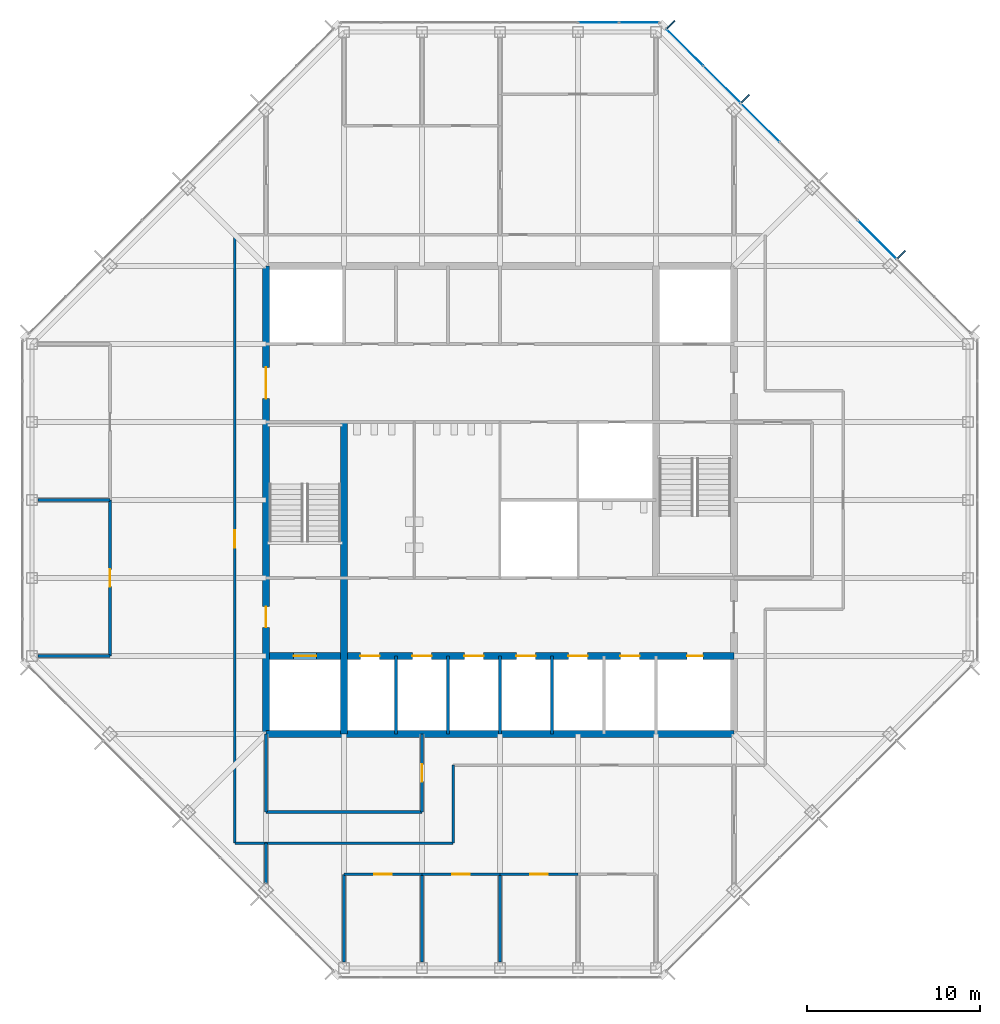
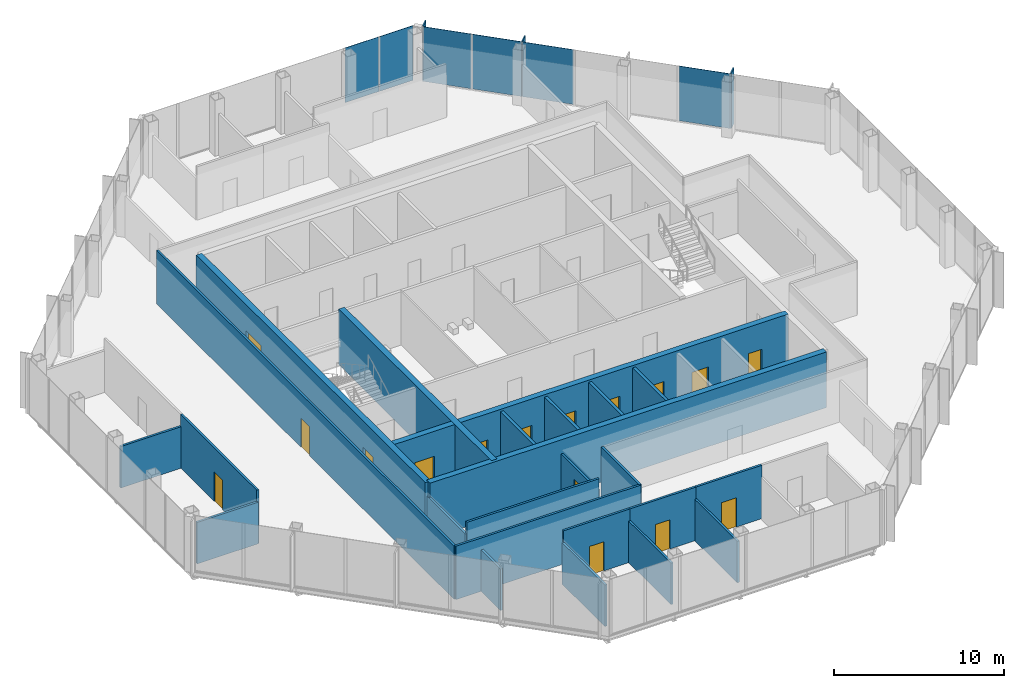
# One storey, part 9 of 13: 24 walls, 16 doors, 9 plates, 16 openings, 2 elements without a shape of their own.
"""IFC4 building model written with IfcOpenShell, lengths in metres."""

import ifcopenshell
import ifcopenshell.guid

model = None  # the IFC model being written
_history = None  # IfcOwnerHistory: only IFC2X3 demands one
_inside = {}  # id of a spatial element -> (the spatial element, [elements in it])
_under = {}  # id of a project, library or spatial element -> (it, [spatial elements below it])
_declared = {}  # id of a project -> (the project, [libraries it declares])
_typed = {}  # id of a type object -> (the type object, [elements of that type])
_made_of = {}  # id of a material, layer set ... -> (it, [elements and type objects made of it])


def new_model(schema):
    """Start an empty IFC model of exactly this schema.

    Asked for "IFC4X3", IfcOpenShell would pick the latest addendum, in which some entities
    have other attributes; the version numbers below select the first issue.
    IFC2X3 requires an IfcOwnerHistory on every rooted entity: one is made here for all.
    """
    global model, _history
    if schema == "IFC4X3":
        model = ifcopenshell.file(schema_version=(4, 3, 0, 0))
    else:
        model = ifcopenshell.file(schema=schema)
    _inside.clear()
    _under.clear()
    _declared.clear()
    _typed.clear()
    _made_of.clear()
    _history = None
    if model.schema == "IFC2X3":
        org = make("IfcOrganization", Name="unknown")
        user = make(
            "IfcPersonAndOrganization",
            ThePerson=make("IfcPerson", FamilyName="unknown"),
            TheOrganization=org,
        )
        app = make(
            "IfcApplication",
            ApplicationDeveloper=org,
            Version="unknown",
            ApplicationFullName="unknown",
            ApplicationIdentifier="unknown",
        )
        _history = make(
            "IfcOwnerHistory",
            OwningUser=user,
            OwningApplication=app,
            ChangeAction="ADDED",
            CreationDate=0,
        )
    return model


def make(cls, **values):
    """One entity of the class cls with the attributes given. An attribute that is None is left unset."""
    return model.create_entity(
        cls, **{name: value for name, value in values.items() if value is not None}
    )


def rooted(cls, **values):
    """An entity with a GlobalId (a new one), such as an element, a storey or a relation."""
    return make(cls, GlobalId=ifcopenshell.guid.new(), OwnerHistory=_history, **values)


def si_unit(unit_type, name, prefix=None):
    """IfcSIUnit, for example si_unit("LENGTHUNIT", "METRE", prefix="MILLI")."""
    return make("IfcSIUnit", UnitType=unit_type, Prefix=prefix, Name=name)


def assignment(units):
    """IfcUnitAssignment: the units of a project."""
    return None if units is None else make("IfcUnitAssignment", Units=units)


def point(xyz):
    """IfcCartesianPoint."""
    return None if xyz is None else make("IfcCartesianPoint", Coordinates=xyz)


def direction(xyz):
    """IfcDirection."""
    return None if xyz is None else make("IfcDirection", DirectionRatios=xyz)


def frame(location, z_axis=None, x_axis=None):
    """IfcAxis2Placement3D, a coordinate frame: its origin and axes. An axis left out is left unset."""
    return make(
        "IfcAxis2Placement3D",
        Location=point(location),
        Axis=direction(z_axis),
        RefDirection=direction(x_axis),
    )


def frame_2d(location, x_axis=None):
    """IfcAxis2Placement2D, a coordinate frame in the plane: its origin and x axis."""
    return make(
        "IfcAxis2Placement2D", Location=point(location), RefDirection=direction(x_axis)
    )


def origin():
    """The frame at (0, 0, 0) with its axes left unset."""
    return frame((0.0, 0.0, 0.0))


def origin_2d():
    """The frame at (0, 0) in the plane with its x axis left unset."""
    return frame_2d((0.0, 0.0))


def place(relative_to, where):
    """IfcLocalPlacement: puts the frame where relative to a parent placement (None: the world)."""
    return make(
        "IfcLocalPlacement", PlacementRelTo=relative_to, RelativePlacement=where
    )


def context(
    kind, dimensions, precision=None, world=None, true_north=None, identifier=None
):
    """IfcGeometricRepresentationContext, for example the 3D "Model" context."""
    return make(
        "IfcGeometricRepresentationContext",
        ContextIdentifier=identifier,
        ContextType=kind,
        CoordinateSpaceDimension=dimensions,
        Precision=precision,
        WorldCoordinateSystem=world,
        TrueNorth=true_north,
    )


def subcontext(parent, identifier, kind, view, scale=None):
    """IfcGeometricRepresentationSubContext, for example "Body" below "Model"."""
    return make(
        "IfcGeometricRepresentationSubContext",
        ContextIdentifier=identifier,
        ContextType=kind,
        ParentContext=parent,
        TargetScale=scale,
        TargetView=view,
    )


def project(units=None, contexts=None):
    """IfcProject with its units and contexts."""
    return rooted(
        "IfcProject",
        Name="project",
        RepresentationContexts=contexts,
        UnitsInContext=assignment(units),
    )


def spatial(cls, under=None, at=None, **own):
    """A site, building, storey or space (cls), placed at a placement, below another one or the project."""
    s = rooted(cls, ObjectPlacement=at, **own)
    if under is not None:
        _under.setdefault(under.id(), (under, []))[1].append(s)
    return s


def profile(cls, at=None, kind="AREA", **sizes):
    """A parametric profile (cls). Its sizes go by their IFC names, for example OverallWidth=200.0."""
    return make(cls, ProfileType=kind, Position=at, **sizes)


def rectangle(**sizes):
    """IfcRectangleProfileDef."""
    return profile("IfcRectangleProfileDef", **sizes)


def extrude(swept, where, along, depth):
    """IfcExtrudedAreaSolid: the profile swept, set in the frame where, extruded along a direction by depth."""
    return make(
        "IfcExtrudedAreaSolid",
        SweptArea=swept,
        Position=where,
        ExtrudedDirection=direction(along),
        Depth=depth,
    )


def shape(context_of_items, identifier, shape_type, items):
    """IfcShapeRepresentation: the items that make up one representation, for example the "Body"."""
    return make(
        "IfcShapeRepresentation",
        ContextOfItems=context_of_items,
        RepresentationIdentifier=identifier,
        RepresentationType=shape_type,
        Items=items,
    )


def material(Name=None, Category=None):
    """IfcMaterial."""
    return make("IfcMaterial", Name=Name, Category=Category)


def layer(
    of_material, thickness, ventilated=None, Name=None, Category=None, Priority=None
):
    """IfcMaterialLayer: one layer of a wall or slab, of a material (None: an air gap)."""
    return make(
        "IfcMaterialLayer",
        Material=of_material,
        LayerThickness=thickness,
        IsVentilated=ventilated,
        Name=Name,
        Category=Category,
        Priority=Priority,
    )


def layer_set(layers, Name=None):
    """IfcMaterialLayerSet."""
    return make("IfcMaterialLayerSet", MaterialLayers=layers, LayerSetName=Name)


def made_of(thing, what):
    """Note that an element or type object is made of a material, layer set ...; save() writes the relation."""
    if what is not None:
        _made_of.setdefault(what.id(), (what, []))[1].append(thing)
    return thing


def type_object(cls, material=None, **own):
    """A type object (cls), such as IfcWallType, which elements share."""
    return made_of(rooted(cls, **own), material)


def element(
    cls,
    number,
    at=None,
    inside=None,
    cuts=None,
    type_object=None,
    material=None,
    context=None,
    identifier="Body",
    shape_type=None,
    held_by="IfcProductDefinitionShape",
    body=None,
    shapes=None,
    **own,
):
    """One element of the class cls, such as IfcWall. Its Tag is "e" and its number.

    at: its placement. inside: the storey or other place that contains it. cuts: it is an
    opening in that element (IfcRelVoidsElement). A single representation is given by context,
    identifier, shape_type and body (its items); several are given by shapes. held_by: the class
    of the entity that holds the representations. save() writes the other relations.
    """
    e = rooted(cls, Tag="e%d" % number, ObjectPlacement=at, **own)
    if body is not None:
        shapes = [shape(context, identifier, shape_type, body)]
    if shapes is not None:
        e.Representation = make(held_by, Representations=shapes)
    if inside is not None:
        _inside.setdefault(inside.id(), (inside, []))[1].append(e)
    if cuts is not None:
        rooted(
            "IfcRelVoidsElement", RelatingBuildingElement=cuts, RelatedOpeningElement=e
        )
    if type_object is not None:
        _typed.setdefault(type_object.id(), (type_object, []))[1].append(e)
    return made_of(e, material)


def fill(opening, filler):
    """IfcRelFillsElement: the door or window that sits in an opening."""
    return rooted(
        "IfcRelFillsElement",
        RelatingOpeningElement=opening,
        RelatedBuildingElement=filler,
    )


def aggregate(whole, parts):
    """IfcRelAggregates: a whole, such as a stair, and the parts it consists of."""
    return rooted("IfcRelAggregates", RelatingObject=whole, RelatedObjects=parts)


def save(model, path):
    """Write the relations noted so far, then the file.

    IfcRelAggregates (storeys below a building ...), IfcRelContainedInSpatialStructure (elements
    in a storey), IfcRelDefinesByType, IfcRelAssociatesMaterial and IfcRelDeclares: one each for
    every whole, place, type object, material and project.
    """
    for whole, parts in _under.values():
        aggregate(whole, parts)
    for where, things in _inside.values():
        rooted(
            "IfcRelContainedInSpatialStructure",
            RelatedElements=things,
            RelatingStructure=where,
        )
    for kind, things in _typed.values():
        rooted("IfcRelDefinesByType", RelatedObjects=things, RelatingType=kind)
    for what, things in _made_of.values():
        rooted("IfcRelAssociatesMaterial", RelatedObjects=things, RelatingMaterial=what)
    for by, libraries in _declared.values():
        rooted("IfcRelDeclares", RelatingContext=by, RelatedDefinitions=libraries)
    model.write(path)


model = new_model("IFC4")

# Units and contexts
model_context = context("Model", 3, precision=1e-05, world=origin(), true_north=direction((0.0, 1.0)))
body_context = subcontext(model_context, "Body", "Model", "MODEL_VIEW")
ifc_project = project(units=[si_unit("LENGTHUNIT", "METRE"), si_unit("AREAUNIT", "SQUARE_METRE"), si_unit("VOLUMEUNIT", "CUBIC_METRE"), si_unit("PLANEANGLEUNIT", "RADIAN"), si_unit("MASSUNIT", "GRAM", prefix="KILO")], contexts=[model_context])

# Site, building, storey
site_placement = place(None, origin())
site = spatial("IfcSite", under=ifc_project, at=site_placement, CompositionType="ELEMENT")
building_placement = place(site_placement, origin())
building = spatial("IfcBuilding", under=site, at=building_placement, Name="Corais Broadcast Tower", CompositionType="ELEMENT")
storey_placement = place(building_placement, frame((0.0, 0.0, 226.60009765625)))
storey = spatial("IfcBuildingStorey", under=building, at=storey_placement, Name="L52", CompositionType="ELEMENT", Elevation=226.60009765625)

# Curtain wall, plate
ifc_material_1 = material(Name="Aluminium and glass", Category="aluminium")
curtain_wall_type = type_object("IfcCurtainWallType", Name="Unitised fritted curtain wall CW3", PredefinedType="NOTDEFINED", material=ifc_material_1)
curtain_wall_1_placement = place(storey_placement, origin())
curtain_wall_1 = element("IfcCurtainWall", 1, at=curtain_wall_1_placement, inside=storey, type_object=curtain_wall_type, Name="CW3 curtain wall L52 4", PredefinedType="NOTDEFINED")
ifc_material_2 = material(Name="Ceramic-fritted laminated glass", Category="glass")
ifc_layer_1 = layer(ifc_material_2, 0.02587890625)
ifc_layer_set_1 = layer_set([ifc_layer_1], Name="Ceramic-fritted laminated glass")
plate_type_1 = type_object("IfcPlateType", Name="Fritted glass panel CW3", PredefinedType="CURTAIN_PANEL", material=ifc_layer_set_1)
plate_1_placement = place(storey_placement, frame((32.681884765625, 54.550048828125, 0.06494140625), z_axis=(0.0, 0.0, 1.0), x_axis=(1.0, 0.0, 0.0)))
plate_1 = element("IfcPlate", 2, at=plate_1_placement, type_object=plate_type_1, Name="CW3 panel 5", PredefinedType="CURTAIN_PANEL", context=body_context, shape_type="SweptSolid", body=[
    extrude(rectangle(XDim=2.298828125, YDim=0.02587890625, at=origin_2d()), origin(), (0.0, 0.0, 1.0), 3.93505859375),
])

# Curtain wall, plates
curtain_wall_2_placement = place(storey_placement, origin())
curtain_wall_2 = element("IfcCurtainWall", 3, at=curtain_wall_2_placement, inside=storey, type_object=curtain_wall_type, Name="CW3 curtain wall L52 5", PredefinedType="NOTDEFINED")
plate_2_placement = place(storey_placement, frame((37.669677734375, 53.108154296875, 0.06494140625), z_axis=(0.0, 0.0, 1.0), x_axis=(0.707106781187, -0.707106781187, 0.0)))
plate_2 = element("IfcPlate", 4, at=plate_2_placement, type_object=plate_type_1, Name="CW3 panel 1", PredefinedType="CURTAIN_PANEL", context=body_context, shape_type="SweptSolid", body=[
    extrude(rectangle(XDim=2.9482421875, YDim=0.02587890625, at=origin_2d()), origin(), (0.0, 0.0, 1.0), 3.93505859375),
])
plate_3_placement = place(storey_placement, frame((42.013916015625, 48.763916015625, 0.06494140625), z_axis=(0.0, 0.0, 1.0), x_axis=(0.707106781187, -0.707106781187, 0.0)))
plate_3 = element("IfcPlate", 5, at=plate_3_placement, type_object=plate_type_1, Name="CW3 panel 3", PredefinedType="CURTAIN_PANEL", context=body_context, shape_type="SweptSolid", body=[
    extrude(rectangle(XDim=3.116943359375, YDim=0.02587890625, at=origin_2d()), origin(), (0.0, 0.0, 1.0), 3.93505859375),
])

# Plate
ifc_material_3 = material(Name="Clear laminated glass", Category="glass")
ifc_layer_2 = layer(ifc_material_3, 0.030029296875)
ifc_layer_set_2 = layer_set([ifc_layer_2], Name="Clear laminated glass")
plate_type_2 = type_object("IfcPlateType", Name="Operable glass panel CW3", PredefinedType="CURTAIN_PANEL", material=ifc_layer_set_2)
plate_4_placement = place(storey_placement, frame((35.029541015625, 54.550048828125, 0.06494140625), z_axis=(0.0, 0.0, 1.0), x_axis=(1.0, 0.0, 0.0)))
plate_4 = element("IfcPlate", 6, at=plate_4_placement, type_object=plate_type_2, Name="CW3 operable panel 6", PredefinedType="CURTAIN_PANEL", context=body_context, shape_type="SweptSolid", body=[
    extrude(rectangle(XDim=2.266357421875, YDim=0.030029296875, at=origin_2d()), origin(), (0.0, 0.0, 1.0), 3.93505859375),
])

aggregate(curtain_wall_1, [plate_1, plate_4])

plate_5_placement = place(storey_placement, frame((39.81201171875, 50.9658203125, 0.06494140625), z_axis=(0.0, 0.0, 1.0), x_axis=(0.707106781187, -0.707106781187, 0.0)))
plate_5 = element("IfcPlate", 7, at=plate_5_placement, type_object=plate_type_2, Name="CW3 operable panel 2", PredefinedType="CURTAIN_PANEL", context=body_context, shape_type="SweptSolid", body=[
    extrude(rectangle(XDim=2.98095703125, YDim=0.030029296875, at=origin_2d()), origin(), (0.0, 0.0, 1.0), 3.93505859375),
])

plate_6_placement = place(storey_placement, frame((48.763916015625, 42.013916015625, 0.06494140625), z_axis=(0.0, 0.0, 1.0), x_axis=(0.707106781187, -0.707106781187, 0.0)))
plate_6 = element("IfcPlate", 8, at=plate_6_placement, type_object=plate_type_2, Name="CW3 operable panel 6", PredefinedType="CURTAIN_PANEL", context=body_context, shape_type="SweptSolid", body=[
    extrude(rectangle(XDim=3.116943359375, YDim=0.030029296875, at=origin_2d()), origin(), (0.0, 0.0, 1.0), 3.93505859375),
])

aggregate(curtain_wall_2, [plate_2, plate_5, plate_3, plate_6])

# Plates
ifc_material_4 = material(Name="Granite stone cladding", Category="masonry")
ifc_layer_3 = layer(ifc_material_4, 0.080078125)
ifc_layer_set_3 = layer_set([ifc_layer_3], Name="Granite stone cladding")
plate_type_3 = type_object("IfcPlateType", Name="Stone screen fin 80x600", PredefinedType="USERDEFINED", material=ifc_layer_set_3)
for number, where, z_axis, x_axis, name in (
    (9, (36.870849609375, 54.43994140625, 0.0), (0.0, 0.0, 1.0), (0.707106781187, -0.707106781187, 0.0), "SF1 stone screen fin L52"),
    (10, (41.155517578125, 50.155517578125, 0.0), (0.0, 0.0, 1.0), (0.707106781187, -0.707106781187, 0.0), "SF1 stone screen fin L52"),
    (11, (50.155517578125, 41.155517578125, 0.0), (0.0, 0.0, 1.0), (0.707106781187, -0.707106781187, 0.0), "SF1 stone screen fin L52"),
):
    element("IfcPlate", number, at=place(storey_placement, frame(where, z_axis=z_axis, x_axis=x_axis)), inside=storey, type_object=plate_type_3, Name=name, ObjectType="STONE SCREEN FIN", PredefinedType="USERDEFINED", context=body_context, shape_type="SweptSolid", body=[
        extrude(rectangle(XDim=0.080078125, YDim=0.60009765625, at=origin_2d()), origin(), (0.0, 0.0, 1.0), 4.0),
    ])

# Wall
ifc_material_5 = material(Name="Concrete C50/60", Category="concrete")
ifc_layer_4 = layer(ifc_material_5, 0.39990234375)
ifc_layer_set_4 = layer_set([ifc_layer_4], Name="Concrete C50/60")
wall_type_1 = type_object("IfcWallType", Name="Core wall 400", PredefinedType="SHEAR", material=ifc_layer_set_4)
wall_1_placement = place(storey_placement, frame((13.5, 13.5, 0.0), z_axis=(0.0, 0.0, 1.0), x_axis=(1.0, 0.0, 0.0)))
element("IfcWall", 12, at=wall_1_placement, inside=storey, type_object=wall_type_1, Name="CR400 core wall S L52", PredefinedType="SHEAR", context=body_context, shape_type="SweptSolid", body=[
    extrude(rectangle(XDim=27.0, YDim=0.39990234375, at=frame_2d((13.5, 0.0))), origin(), (0.0, 0.0, 1.0), 4.0),
])

# Wall, openings, doors
wall_2_placement = place(storey_placement, frame((13.5, 40.5, 0.0), z_axis=(0.0, 0.0, 1.0), x_axis=(0.0, -1.0, 0.0)))
wall_2 = element("IfcWall", 13, at=wall_2_placement, inside=storey, type_object=wall_type_1, Name="CR400 core wall W L52", PredefinedType="SHEAR", context=body_context, shape_type="SweptSolid", body=[
    extrude(rectangle(XDim=27.0, YDim=0.39990234375, at=frame_2d((13.5, 0.0))), origin(), (0.0, 0.0, 1.0), 4.0),
])
opening_1_placement = place(wall_2_placement, frame((19.64990234375, 0.0, 0.0)))
opening_1 = element("IfcOpeningElement", 14, at=opening_1_placement, cuts=wall_2, Name="Opening FD1", PredefinedType="OPENING", context=body_context, shape_type="SweptSolid", body=[
    extrude(rectangle(XDim=1.199951171875, YDim=2.10009765625, at=frame_2d((0.60009765625, 1.050048828125))), frame((0.0, 0.2099609375, 0.0), z_axis=(0.0, -1.0, 0.0), x_axis=(1.0, 0.0, 0.0)), (0.0, 0.0, 1.0), 0.419921875),
])
opening_2_placement = place(wall_2_placement, frame((5.85009765625, 0.0, 0.0)))
opening_2 = element("IfcOpeningElement", 15, at=opening_2_placement, cuts=wall_2, Name="Opening FD2", PredefinedType="OPENING", context=body_context, shape_type="SweptSolid", body=[
    extrude(rectangle(XDim=1.800048828125, YDim=2.10009765625, at=frame_2d((0.89990234375, 1.050048828125))), frame((0.0, 0.2099609375, 0.0), z_axis=(0.0, -1.0, 0.0), x_axis=(1.0, 0.0, 0.0)), (0.0, 0.0, 1.0), 0.419921875),
])
ifc_material_6 = material(Name="Steel fire door", Category="steel")
door_type_1 = type_object("IfcDoorType", Name="Fire door 1200x2100", OperationType="SINGLE_SWING_LEFT", PredefinedType="DOOR", material=ifc_material_6)
door_1_placement = place(opening_1_placement, origin())
door_1 = element("IfcDoor", 16, at=door_1_placement, inside=storey, type_object=door_type_1, Name="FD1 fire lobby A door L52", OperationType="SINGLE_SWING_RIGHT", OverallHeight=2.10009765625, OverallWidth=1.199951171875, PredefinedType="DOOR", context=body_context, shape_type="SweptSolid", body=[
    extrude(rectangle(XDim=1.199951171875, YDim=2.10009765625, at=frame_2d((0.60009765625, 1.050048828125))), frame((0.0, 0.02490234375, 0.0), z_axis=(0.0, -1.0, 0.0), x_axis=(1.0, 0.0, 0.0)), (0.0, 0.0, 1.0), 0.050048828125),
])
fill(opening_1, door_1)
ifc_material_7 = material(Name="Steel fire door", Category="steel")
door_type_2 = type_object("IfcDoorType", Name="Fire door pair 1800x2100", OperationType="DOUBLE_DOOR_SINGLE_SWING", PredefinedType="DOOR", material=ifc_material_7)
door_2_placement = place(opening_2_placement, origin())
door_2 = element("IfcDoor", 17, at=door_2_placement, inside=storey, type_object=door_type_2, Name="FD2 lift lobby door L52", OperationType="SINGLE_SWING_LEFT", OverallHeight=2.10009765625, OverallWidth=1.800048828125, PredefinedType="DOOR", context=body_context, shape_type="SweptSolid", body=[
    extrude(rectangle(XDim=1.800048828125, YDim=2.10009765625, at=frame_2d((0.89990234375, 1.050048828125))), frame((0.0, 0.02490234375, 0.0), z_axis=(0.0, -1.0, 0.0), x_axis=(1.0, 0.0, 0.0)), (0.0, 0.0, 1.0), 0.050048828125),
])
fill(opening_2, door_2)

# Wall
wall_3_placement = place(storey_placement, frame((18.0, 13.5, 0.0), z_axis=(0.0, 0.0, 1.0), x_axis=(0.0, 1.0, 0.0)))
element("IfcWall", 18, at=wall_3_placement, inside=storey, type_object=wall_type_1, Name="CR400 core wall X18A L52", PredefinedType="SHEAR", context=body_context, shape_type="SweptSolid", body=[
    extrude(rectangle(XDim=18.0, YDim=0.39990234375, at=frame_2d((9.0, 0.0))), origin(), (0.0, 0.0, 1.0), 4.0),
])

# Wall, openings, doors
wall_4_placement = place(storey_placement, frame((13.5, 18.0, 0.0), z_axis=(0.0, 0.0, 1.0), x_axis=(1.0, 0.0, 0.0)))
wall_4 = element("IfcWall", 19, at=wall_4_placement, inside=storey, type_object=wall_type_1, Name="CR400 core wall Y18 L52", PredefinedType="SHEAR", context=body_context, shape_type="SweptSolid", body=[
    extrude(rectangle(XDim=27.0, YDim=0.39990234375, at=frame_2d((13.5, 0.0))), origin(), (0.0, 0.0, 1.0), 4.0),
])
opening_3_placement = place(wall_4_placement, frame((24.300048828125, 0.0, 0.0)))
opening_3 = element("IfcOpeningElement", 20, at=opening_3_placement, cuts=wall_4, Name="Opening RD1", PredefinedType="OPENING", context=body_context, shape_type="SweptSolid", body=[
    extrude(rectangle(XDim=0.89990234375, YDim=2.10009765625, at=frame_2d((0.449951171875, 1.050048828125))), frame((0.0, 0.2099609375, 0.0), z_axis=(0.0, -1.0, 0.0), x_axis=(1.0, 0.0, 0.0)), (0.0, 0.0, 1.0), 0.419921875),
])
opening_4_placement = place(wall_4_placement, frame((5.449951171875, 0.0, 0.0)))
opening_4 = element("IfcOpeningElement", 21, at=opening_4_placement, cuts=wall_4, Name="Opening LD1", PredefinedType="OPENING", context=body_context, shape_type="SweptSolid", body=[
    extrude(rectangle(XDim=1.10009765625, YDim=2.10009765625, at=frame_2d((0.550048828125, 1.050048828125))), frame((0.0, 0.2099609375, 0.0), z_axis=(0.0, -1.0, 0.0), x_axis=(1.0, 0.0, 0.0)), (0.0, 0.0, 1.0), 0.419921875),
])
opening_5_placement = place(wall_4_placement, frame((8.449951171875, 0.0, 0.0)))
opening_5 = element("IfcOpeningElement", 22, at=opening_5_placement, cuts=wall_4, Name="Opening LD1", PredefinedType="OPENING", context=body_context, shape_type="SweptSolid", body=[
    extrude(rectangle(XDim=1.10009765625, YDim=2.10009765625, at=frame_2d((0.550048828125, 1.050048828125))), frame((0.0, 0.2099609375, 0.0), z_axis=(0.0, -1.0, 0.0), x_axis=(1.0, 0.0, 0.0)), (0.0, 0.0, 1.0), 0.419921875),
])
opening_6_placement = place(wall_4_placement, frame((11.449951171875, 0.0, 0.0)))
opening_6 = element("IfcOpeningElement", 23, at=opening_6_placement, cuts=wall_4, Name="Opening LD1", PredefinedType="OPENING", context=body_context, shape_type="SweptSolid", body=[
    extrude(rectangle(XDim=1.10009765625, YDim=2.10009765625, at=frame_2d((0.550048828125, 1.050048828125))), frame((0.0, 0.2099609375, 0.0), z_axis=(0.0, -1.0, 0.0), x_axis=(1.0, 0.0, 0.0)), (0.0, 0.0, 1.0), 0.419921875),
])
opening_7_placement = place(wall_4_placement, frame((14.449951171875, 0.0, 0.0)))
opening_7 = element("IfcOpeningElement", 24, at=opening_7_placement, cuts=wall_4, Name="Opening LD1", PredefinedType="OPENING", context=body_context, shape_type="SweptSolid", body=[
    extrude(rectangle(XDim=1.10009765625, YDim=2.10009765625, at=frame_2d((0.550048828125, 1.050048828125))), frame((0.0, 0.2099609375, 0.0), z_axis=(0.0, -1.0, 0.0), x_axis=(1.0, 0.0, 0.0)), (0.0, 0.0, 1.0), 0.419921875),
])
opening_8_placement = place(wall_4_placement, frame((17.449951171875, 0.0, 0.0)))
opening_8 = element("IfcOpeningElement", 25, at=opening_8_placement, cuts=wall_4, Name="Opening LD1", PredefinedType="OPENING", context=body_context, shape_type="SweptSolid", body=[
    extrude(rectangle(XDim=1.10009765625, YDim=2.10009765625, at=frame_2d((0.550048828125, 1.050048828125))), frame((0.0, 0.2099609375, 0.0), z_axis=(0.0, -1.0, 0.0), x_axis=(1.0, 0.0, 0.0)), (0.0, 0.0, 1.0), 0.419921875),
])
opening_9_placement = place(wall_4_placement, frame((20.449951171875, 0.0, 0.0)))
opening_9 = element("IfcOpeningElement", 26, at=opening_9_placement, cuts=wall_4, Name="Opening LD1", PredefinedType="OPENING", context=body_context, shape_type="SweptSolid", body=[
    extrude(rectangle(XDim=1.10009765625, YDim=2.10009765625, at=frame_2d((0.550048828125, 1.050048828125))), frame((0.0, 0.2099609375, 0.0), z_axis=(0.0, -1.0, 0.0), x_axis=(1.0, 0.0, 0.0)), (0.0, 0.0, 1.0), 0.419921875),
])
opening_10_placement = place(wall_4_placement, frame((1.60009765625, 0.0, 0.0)))
opening_10 = element("IfcOpeningElement", 27, at=opening_10_placement, cuts=wall_4, Name="Opening LD2", PredefinedType="OPENING", context=body_context, shape_type="SweptSolid", body=[
    extrude(rectangle(XDim=1.300048828125, YDim=2.199951171875, at=frame_2d((0.64990234375, 1.10009765625))), frame((0.0, 0.2099609375, 0.0), z_axis=(0.0, -1.0, 0.0), x_axis=(1.0, 0.0, 0.0)), (0.0, 0.0, 1.0), 0.419921875),
])
ifc_material_8 = material(Name="Stainless steel lift door", Category="steel")
door_type_3 = type_object("IfcDoorType", Name="Lift landing door 1100x2100", OperationType="SLIDING_TO_LEFT", PredefinedType="DOOR", material=ifc_material_8)
door_3_placement = place(opening_4_placement, origin())
door_3 = element("IfcDoor", 28, at=door_3_placement, inside=storey, type_object=door_type_3, Name="LD1 PH1 landing door L52", OperationType="SLIDING_TO_LEFT", OverallHeight=2.10009765625, OverallWidth=1.10009765625, PredefinedType="DOOR", context=body_context, shape_type="SweptSolid", body=[
    extrude(rectangle(XDim=1.10009765625, YDim=2.10009765625, at=frame_2d((0.550048828125, 1.050048828125))), frame((0.0, 0.02490234375, 0.0), z_axis=(0.0, -1.0, 0.0), x_axis=(1.0, 0.0, 0.0)), (0.0, 0.0, 1.0), 0.050048828125),
])
fill(opening_4, door_3)
door_4_placement = place(opening_5_placement, origin())
door_4 = element("IfcDoor", 29, at=door_4_placement, inside=storey, type_object=door_type_3, Name="LD1 PH2 landing door L52", OperationType="SLIDING_TO_LEFT", OverallHeight=2.10009765625, OverallWidth=1.10009765625, PredefinedType="DOOR", context=body_context, shape_type="SweptSolid", body=[
    extrude(rectangle(XDim=1.10009765625, YDim=2.10009765625, at=frame_2d((0.550048828125, 1.050048828125))), frame((0.0, 0.02490234375, 0.0), z_axis=(0.0, -1.0, 0.0), x_axis=(1.0, 0.0, 0.0)), (0.0, 0.0, 1.0), 0.050048828125),
])
fill(opening_5, door_4)
door_5_placement = place(opening_6_placement, origin())
door_5 = element("IfcDoor", 30, at=door_5_placement, inside=storey, type_object=door_type_3, Name="LD1 PH3 landing door L52", OperationType="SLIDING_TO_LEFT", OverallHeight=2.10009765625, OverallWidth=1.10009765625, PredefinedType="DOOR", context=body_context, shape_type="SweptSolid", body=[
    extrude(rectangle(XDim=1.10009765625, YDim=2.10009765625, at=frame_2d((0.550048828125, 1.050048828125))), frame((0.0, 0.02490234375, 0.0), z_axis=(0.0, -1.0, 0.0), x_axis=(1.0, 0.0, 0.0)), (0.0, 0.0, 1.0), 0.050048828125),
])
fill(opening_6, door_5)
door_6_placement = place(opening_7_placement, origin())
door_6 = element("IfcDoor", 31, at=door_6_placement, inside=storey, type_object=door_type_3, Name="LD1 PH4 landing door L52", OperationType="SLIDING_TO_LEFT", OverallHeight=2.10009765625, OverallWidth=1.10009765625, PredefinedType="DOOR", context=body_context, shape_type="SweptSolid", body=[
    extrude(rectangle(XDim=1.10009765625, YDim=2.10009765625, at=frame_2d((0.550048828125, 1.050048828125))), frame((0.0, 0.02490234375, 0.0), z_axis=(0.0, -1.0, 0.0), x_axis=(1.0, 0.0, 0.0)), (0.0, 0.0, 1.0), 0.050048828125),
])
fill(opening_7, door_6)
door_7_placement = place(opening_8_placement, origin())
door_7 = element("IfcDoor", 32, at=door_7_placement, inside=storey, type_object=door_type_3, Name="LD1 PH5 landing door L52", OperationType="SLIDING_TO_LEFT", OverallHeight=2.10009765625, OverallWidth=1.10009765625, PredefinedType="DOOR", context=body_context, shape_type="SweptSolid", body=[
    extrude(rectangle(XDim=1.10009765625, YDim=2.10009765625, at=frame_2d((0.550048828125, 1.050048828125))), frame((0.0, 0.02490234375, 0.0), z_axis=(0.0, -1.0, 0.0), x_axis=(1.0, 0.0, 0.0)), (0.0, 0.0, 1.0), 0.050048828125),
])
fill(opening_8, door_7)
door_8_placement = place(opening_9_placement, origin())
door_8 = element("IfcDoor", 33, at=door_8_placement, inside=storey, type_object=door_type_3, Name="LD1 PH6 landing door L52", OperationType="SLIDING_TO_LEFT", OverallHeight=2.10009765625, OverallWidth=1.10009765625, PredefinedType="DOOR", context=body_context, shape_type="SweptSolid", body=[
    extrude(rectangle(XDim=1.10009765625, YDim=2.10009765625, at=frame_2d((0.550048828125, 1.050048828125))), frame((0.0, 0.02490234375, 0.0), z_axis=(0.0, -1.0, 0.0), x_axis=(1.0, 0.0, 0.0)), (0.0, 0.0, 1.0), 0.050048828125),
])
fill(opening_9, door_8)
ifc_material_9 = material(Name="Stainless steel lift door", Category="steel")
door_type_4 = type_object("IfcDoorType", Name="Lift landing door 1300x2200", OperationType="SLIDING_TO_LEFT", PredefinedType="DOOR", material=ifc_material_9)
door_9_placement = place(opening_10_placement, origin())
door_9 = element("IfcDoor", 34, at=door_9_placement, inside=storey, type_object=door_type_4, Name="LD2 FL1 landing door L52", OperationType="SLIDING_TO_LEFT", OverallHeight=2.199951171875, OverallWidth=1.300048828125, PredefinedType="DOOR", context=body_context, shape_type="SweptSolid", body=[
    extrude(rectangle(XDim=1.300048828125, YDim=2.199951171875, at=frame_2d((0.64990234375, 1.10009765625))), frame((0.0, 0.02490234375, 0.0), z_axis=(0.0, -1.0, 0.0), x_axis=(1.0, 0.0, 0.0)), (0.0, 0.0, 1.0), 0.050048828125),
])
fill(opening_10, door_9)
ifc_material_10 = material(Name="Steel fire door", Category="steel")
door_type_5 = type_object("IfcDoorType", Name="Riser door 900x2100", OperationType="SINGLE_SWING_LEFT", PredefinedType="DOOR", material=ifc_material_10)
door_10_placement = place(opening_3_placement, origin())
door_10 = element("IfcDoor", 35, at=door_10_placement, inside=storey, type_object=door_type_5, Name="RD1 riser door L52", OperationType="SINGLE_SWING_RIGHT", OverallHeight=2.10009765625, OverallWidth=0.89990234375, PredefinedType="DOOR", context=body_context, shape_type="SweptSolid", body=[
    extrude(rectangle(XDim=0.89990234375, YDim=2.10009765625, at=frame_2d((0.449951171875, 1.050048828125))), frame((0.0, 0.02490234375, 0.0), z_axis=(0.0, -1.0, 0.0), x_axis=(1.0, 0.0, 0.0)), (0.0, 0.0, 1.0), 0.050048828125),
])
fill(opening_3, door_10)

# Wall, opening, door
ifc_material_11 = material(Name="Gypsum board on steel studs", Category="steel")
ifc_layer_5 = layer(ifc_material_11, 0.14990234375)
ifc_layer_set_5 = layer_set([ifc_layer_5], Name="Gypsum board on steel studs")
wall_type_2 = type_object("IfcWallType", Name="Partition 150", PredefinedType="PARTITIONING", material=ifc_layer_set_5)
wall_5_placement = place(storey_placement, frame((11.699951171875, 42.300048828125, 0.0), z_axis=(0.0, 0.0, 1.0), x_axis=(0.0, -1.0, 0.0)))
wall_5 = element("IfcWall", 36, at=wall_5_placement, inside=storey, type_object=wall_type_2, Name="IW3 corridor wall L52", PredefinedType="PARTITIONING", context=body_context, shape_type="SweptSolid", body=[
    extrude(rectangle(XDim=35.10009765625, YDim=0.14990234375, at=frame_2d((17.550048828125, 0.0))), origin(), (0.0, 0.0, 1.0), 3.83984375),
])
opening_11_placement = place(wall_5_placement, frame((17.050048828125, 0.0, 0.0)))
opening_11 = element("IfcOpeningElement", 37, at=opening_11_placement, cuts=wall_5, Name="Opening D1", PredefinedType="OPENING", context=body_context, shape_type="SweptSolid", body=[
    extrude(rectangle(XDim=1.0, YDim=2.10009765625, at=frame_2d((0.5, 1.050048828125))), frame((0.0, 0.0849609375, 0.0), z_axis=(0.0, -1.0, 0.0), x_axis=(1.0, 0.0, 0.0)), (0.0, 0.0, 1.0), 0.169921875),
])
ifc_material_12 = material(Name="Timber door", Category="wood")
door_type_6 = type_object("IfcDoorType", Name="Single door 1000x2100", OperationType="SINGLE_SWING_LEFT", PredefinedType="DOOR", material=ifc_material_12)
door_11_placement = place(opening_11_placement, origin())
door_11 = element("IfcDoor", 38, at=door_11_placement, inside=storey, type_object=door_type_6, Name="D1 workplace door L52", OperationType="SINGLE_SWING_LEFT", OverallHeight=2.10009765625, OverallWidth=1.0, PredefinedType="DOOR", context=body_context, shape_type="SweptSolid", body=[
    extrude(rectangle(XDim=1.0, YDim=2.10009765625, at=frame_2d((0.5, 1.050048828125))), frame((0.0, 0.02490234375, 0.0), z_axis=(0.0, -1.0, 0.0), x_axis=(1.0, 0.0, 0.0)), (0.0, 0.0, 1.0), 0.050048828125),
])
fill(opening_11, door_11)

# Walls
wall_6_placement = place(storey_placement, frame((11.699951171875, 7.199951171875, 0.0), z_axis=(0.0, 0.0, 1.0), x_axis=(1.0, 0.0, 0.0)))
element("IfcWall", 39, at=wall_6_placement, inside=storey, type_object=wall_type_2, Name="IW3 corridor wall L52", PredefinedType="PARTITIONING", context=body_context, shape_type="SweptSolid", body=[
    extrude(rectangle(XDim=12.60009765625, YDim=0.14990234375, at=frame_2d((6.300048828125, 0.0))), origin(), (0.0, 0.0, 1.0), 3.83984375),
])
wall_7_placement = place(storey_placement, frame((24.300048828125, 7.199951171875, 0.0), z_axis=(0.0, 0.0, 1.0), x_axis=(0.0, 1.0, 0.0)))
element("IfcWall", 40, at=wall_7_placement, inside=storey, type_object=wall_type_2, Name="IW3 corridor wall L52", PredefinedType="PARTITIONING", context=body_context, shape_type="SweptSolid", body=[
    extrude(rectangle(XDim=4.5, YDim=0.14990234375, at=frame_2d((2.25, 0.0))), origin(), (0.0, 0.0, 1.0), 3.83984375),
])
wall_8_placement = place(storey_placement, frame((0.3349609375, 18.0, 0.0), z_axis=(0.0, 0.0, 1.0), x_axis=(1.0, 0.0, 0.0)))
element("IfcWall", 41, at=wall_8_placement, inside=storey, type_object=wall_type_2, Name="IW3 partition L52", PredefinedType="PARTITIONING", context=body_context, shape_type="SweptSolid", body=[
    extrude(rectangle(XDim=4.1650390625, YDim=0.14990234375, at=frame_2d((2.08251953125, 0.0))), origin(), (0.0, 0.0, 1.0), 2.989013671875),
])

# Wall, opening, door
wall_9_placement = place(storey_placement, frame((4.5, 18.0, 0.0), z_axis=(0.0, 0.0, 1.0), x_axis=(0.0, 1.0, 0.0)))
wall_9 = element("IfcWall", 42, at=wall_9_placement, inside=storey, type_object=wall_type_2, Name="IW3 partition L52", PredefinedType="PARTITIONING", context=body_context, shape_type="SweptSolid", body=[
    extrude(rectangle(XDim=9.0, YDim=0.14990234375, at=frame_2d((4.5, 0.0))), origin(), (0.0, 0.0, 1.0), 3.83984375),
])
opening_12_placement = place(wall_9_placement, frame((4.0, 0.0, 0.0)))
opening_12 = element("IfcOpeningElement", 43, at=opening_12_placement, cuts=wall_9, Name="Opening D1", PredefinedType="OPENING", context=body_context, shape_type="SweptSolid", body=[
    extrude(rectangle(XDim=1.0, YDim=2.10009765625, at=frame_2d((0.5, 1.050048828125))), frame((0.0, 0.0849609375, 0.0), z_axis=(0.0, -1.0, 0.0), x_axis=(1.0, 0.0, 0.0)), (0.0, 0.0, 1.0), 0.169921875),
])
door_12_placement = place(opening_12_placement, origin())
door_12 = element("IfcDoor", 44, at=door_12_placement, inside=storey, type_object=door_type_6, Name="D1 Office door", OperationType="SINGLE_SWING_LEFT", OverallHeight=2.10009765625, OverallWidth=1.0, PredefinedType="DOOR", context=body_context, shape_type="SweptSolid", body=[
    extrude(rectangle(XDim=1.0, YDim=2.10009765625, at=frame_2d((0.5, 1.050048828125))), frame((0.0, 0.02490234375, 0.0), z_axis=(0.0, -1.0, 0.0), x_axis=(1.0, 0.0, 0.0)), (0.0, 0.0, 1.0), 0.050048828125),
])
fill(opening_12, door_12)

# Walls
wall_10_placement = place(storey_placement, frame((4.5, 27.0, 0.0), z_axis=(0.0, 0.0, 1.0), x_axis=(-1.0, 0.0, 0.0)))
element("IfcWall", 45, at=wall_10_placement, inside=storey, type_object=wall_type_2, Name="IW3 partition L52", PredefinedType="PARTITIONING", context=body_context, shape_type="SweptSolid", body=[
    extrude(rectangle(XDim=4.1650390625, YDim=0.14990234375, at=frame_2d((2.08251953125, 0.0))), origin(), (0.0, 0.0, 1.0), 2.989013671875),
])
wall_11_placement = place(storey_placement, frame((22.5, 0.3349609375, 0.0), z_axis=(0.0, 0.0, 1.0), x_axis=(0.0, 1.0, 0.0)))
element("IfcWall", 46, at=wall_11_placement, inside=storey, type_object=wall_type_2, Name="IW3 partition L52", PredefinedType="PARTITIONING", context=body_context, shape_type="SweptSolid", body=[
    extrude(rectangle(XDim=5.06494140625, YDim=0.14990234375, at=frame_2d((2.532470703125, 0.0))), origin(), (0.0, 0.0, 1.0), 2.989013671875),
])

# Wall, opening, door
wall_12_placement = place(storey_placement, frame((22.5, 5.39990234375, 0.0), z_axis=(0.0, 0.0, 1.0), x_axis=(-1.0, 0.0, 0.0)))
wall_12 = element("IfcWall", 47, at=wall_12_placement, inside=storey, type_object=wall_type_2, Name="IW3 partition L52", PredefinedType="PARTITIONING", context=body_context, shape_type="SweptSolid", body=[
    extrude(rectangle(XDim=4.5, YDim=0.14990234375, at=frame_2d((2.25, 0.0))), origin(), (0.0, 0.0, 1.0), 3.83984375),
])
opening_13_placement = place(wall_12_placement, frame((1.75, 0.0, 0.0)))
opening_13 = element("IfcOpeningElement", 48, at=opening_13_placement, cuts=wall_12, Name="Opening D1", PredefinedType="OPENING", context=body_context, shape_type="SweptSolid", body=[
    extrude(rectangle(XDim=1.0, YDim=2.10009765625, at=frame_2d((0.5, 1.050048828125))), frame((0.0, 0.0849609375, 0.0), z_axis=(0.0, -1.0, 0.0), x_axis=(1.0, 0.0, 0.0)), (0.0, 0.0, 1.0), 0.169921875),
])
door_13_placement = place(opening_13_placement, origin())
door_13 = element("IfcDoor", 49, at=door_13_placement, inside=storey, type_object=door_type_6, Name="D1 Edit room door", OperationType="SINGLE_SWING_LEFT", OverallHeight=2.10009765625, OverallWidth=1.0, PredefinedType="DOOR", context=body_context, shape_type="SweptSolid", body=[
    extrude(rectangle(XDim=1.0, YDim=2.10009765625, at=frame_2d((0.5, 1.050048828125))), frame((0.0, 0.02490234375, 0.0), z_axis=(0.0, -1.0, 0.0), x_axis=(1.0, 0.0, 0.0)), (0.0, 0.0, 1.0), 0.050048828125),
])
fill(opening_13, door_13)

# Walls
for number, where, z_axis, x_axis, name in (
    (50, (18.0, 5.39990234375, 0.0), (0.0, 0.0, 1.0), (0.0, -1.0, 0.0), "IW3 partition L52"),
    (51, (27.0, 0.3349609375, 0.0), (0.0, 0.0, 1.0), (0.0, 1.0, 0.0), "IW3 partition L52"),
):
    element("IfcWall", number, at=place(storey_placement, frame(where, z_axis=z_axis, x_axis=x_axis)), inside=storey, type_object=wall_type_2, Name=name, PredefinedType="PARTITIONING", context=body_context, shape_type="SweptSolid", body=[
        extrude(rectangle(XDim=5.06494140625, YDim=0.14990234375, at=frame_2d((2.532470703125, 0.0))), origin(), (0.0, 0.0, 1.0), 2.989013671875),
    ])

# Wall, opening, door
wall_13_placement = place(storey_placement, frame((27.0, 5.39990234375, 0.0), z_axis=(0.0, 0.0, 1.0), x_axis=(-1.0, 0.0, 0.0)))
wall_13 = element("IfcWall", 52, at=wall_13_placement, inside=storey, type_object=wall_type_2, Name="IW3 partition L52", PredefinedType="PARTITIONING", context=body_context, shape_type="SweptSolid", body=[
    extrude(rectangle(XDim=4.5, YDim=0.14990234375, at=frame_2d((2.25, 0.0))), origin(), (0.0, 0.0, 1.0), 3.83984375),
])
opening_14_placement = place(wall_13_placement, frame((1.75, 0.0, 0.0)))
opening_14 = element("IfcOpeningElement", 53, at=opening_14_placement, cuts=wall_13, Name="Opening D1", PredefinedType="OPENING", context=body_context, shape_type="SweptSolid", body=[
    extrude(rectangle(XDim=1.0, YDim=2.10009765625, at=frame_2d((0.5, 1.050048828125))), frame((0.0, 0.0849609375, 0.0), z_axis=(0.0, -1.0, 0.0), x_axis=(1.0, 0.0, 0.0)), (0.0, 0.0, 1.0), 0.169921875),
])
door_14_placement = place(opening_14_placement, origin())
door_14 = element("IfcDoor", 54, at=door_14_placement, inside=storey, type_object=door_type_6, Name="D1 Edit room door", OperationType="SINGLE_SWING_LEFT", OverallHeight=2.10009765625, OverallWidth=1.0, PredefinedType="DOOR", context=body_context, shape_type="SweptSolid", body=[
    extrude(rectangle(XDim=1.0, YDim=2.10009765625, at=frame_2d((0.5, 1.050048828125))), frame((0.0, 0.02490234375, 0.0), z_axis=(0.0, -1.0, 0.0), x_axis=(1.0, 0.0, 0.0)), (0.0, 0.0, 1.0), 0.050048828125),
])
fill(opening_14, door_14)

wall_14_placement = place(storey_placement, frame((31.5, 5.39990234375, 0.0), z_axis=(0.0, 0.0, 1.0), x_axis=(-1.0, 0.0, 0.0)))
wall_14 = element("IfcWall", 55, at=wall_14_placement, inside=storey, type_object=wall_type_2, Name="IW3 partition L52", PredefinedType="PARTITIONING", context=body_context, shape_type="SweptSolid", body=[
    extrude(rectangle(XDim=4.5, YDim=0.14990234375, at=frame_2d((2.25, 0.0))), origin(), (0.0, 0.0, 1.0), 3.83984375),
])
opening_15_placement = place(wall_14_placement, frame((1.75, 0.0, 0.0)))
opening_15 = element("IfcOpeningElement", 56, at=opening_15_placement, cuts=wall_14, Name="Opening D1", PredefinedType="OPENING", context=body_context, shape_type="SweptSolid", body=[
    extrude(rectangle(XDim=1.0, YDim=2.10009765625, at=frame_2d((0.5, 1.050048828125))), frame((0.0, 0.0849609375, 0.0), z_axis=(0.0, -1.0, 0.0), x_axis=(1.0, 0.0, 0.0)), (0.0, 0.0, 1.0), 0.169921875),
])
door_15_placement = place(opening_15_placement, origin())
door_15 = element("IfcDoor", 57, at=door_15_placement, inside=storey, type_object=door_type_6, Name="D1 Edit room door", OperationType="SINGLE_SWING_LEFT", OverallHeight=2.10009765625, OverallWidth=1.0, PredefinedType="DOOR", context=body_context, shape_type="SweptSolid", body=[
    extrude(rectangle(XDim=1.0, YDim=2.10009765625, at=frame_2d((0.5, 1.050048828125))), frame((0.0, 0.02490234375, 0.0), z_axis=(0.0, -1.0, 0.0), x_axis=(1.0, 0.0, 0.0)), (0.0, 0.0, 1.0), 0.050048828125),
])
fill(opening_15, door_15)

# Wall
wall_15_placement = place(storey_placement, frame((13.5, 9.0, 0.0), z_axis=(0.0, 0.0, 1.0), x_axis=(1.0, 0.0, 0.0)))
element("IfcWall", 58, at=wall_15_placement, inside=storey, type_object=wall_type_2, Name="IW3 partition L52", PredefinedType="PARTITIONING", context=body_context, shape_type="SweptSolid", body=[
    extrude(rectangle(XDim=9.0, YDim=0.14990234375, at=frame_2d((4.5, 0.0))), origin(), (0.0, 0.0, 1.0), 3.83984375),
])

# Wall, opening, door
wall_16_placement = place(storey_placement, frame((22.5, 9.0, 0.0), z_axis=(0.0, 0.0, 1.0), x_axis=(0.0, 1.0, 0.0)))
wall_16 = element("IfcWall", 59, at=wall_16_placement, inside=storey, type_object=wall_type_2, Name="IW3 partition L52", PredefinedType="PARTITIONING", context=body_context, shape_type="SweptSolid", body=[
    extrude(rectangle(XDim=4.5, YDim=0.14990234375, at=frame_2d((2.25, 0.0))), origin(), (0.0, 0.0, 1.0), 2.989013671875),
])
opening_16_placement = place(wall_16_placement, frame((1.75, 0.0, 0.0)))
opening_16 = element("IfcOpeningElement", 60, at=opening_16_placement, cuts=wall_16, Name="Opening D1", PredefinedType="OPENING", context=body_context, shape_type="SweptSolid", body=[
    extrude(rectangle(XDim=1.0, YDim=2.10009765625, at=frame_2d((0.5, 1.050048828125))), frame((0.0, 0.0849609375, 0.0), z_axis=(0.0, -1.0, 0.0), x_axis=(1.0, 0.0, 0.0)), (0.0, 0.0, 1.0), 0.169921875),
])
door_16_placement = place(opening_16_placement, origin())
door_16 = element("IfcDoor", 61, at=door_16_placement, inside=storey, type_object=door_type_6, Name="D1 Interview room door", OperationType="SINGLE_SWING_LEFT", OverallHeight=2.10009765625, OverallWidth=1.0, PredefinedType="DOOR", context=body_context, shape_type="SweptSolid", body=[
    extrude(rectangle(XDim=1.0, YDim=2.10009765625, at=frame_2d((0.5, 1.050048828125))), frame((0.0, 0.02490234375, 0.0), z_axis=(0.0, -1.0, 0.0), x_axis=(1.0, 0.0, 0.0)), (0.0, 0.0, 1.0), 0.050048828125),
])
fill(opening_16, door_16)

# Walls
wall_17_placement = place(storey_placement, frame((13.5, 13.5, 0.0), z_axis=(0.0, 0.0, 1.0), x_axis=(0.0, -1.0, 0.0)))
element("IfcWall", 62, at=wall_17_placement, inside=storey, type_object=wall_type_2, Name="IW3 partition L52", PredefinedType="PARTITIONING", context=body_context, shape_type="SweptSolid", body=[
    extrude(rectangle(XDim=4.5, YDim=0.14990234375, at=frame_2d((2.25, 0.0))), origin(), (0.0, 0.0, 1.0), 2.989013671875),
])
wall_18_placement = place(storey_placement, frame((13.5, 4.844970703125, 0.0), z_axis=(0.0, 0.0, 1.0), x_axis=(0.0, 1.0, 0.0)))
element("IfcWall", 63, at=wall_18_placement, inside=storey, type_object=wall_type_2, Name="IW3 partition L52", PredefinedType="PARTITIONING", context=body_context, shape_type="SweptSolid", body=[
    extrude(rectangle(XDim=2.35498046875, YDim=0.14990234375, at=frame_2d((1.177490234375, 0.0))), origin(), (0.0, 0.0, 1.0), 2.989013671875),
])
ifc_material_13 = material(Name="Concrete blockwork class A, grouted, two-hour", Category="masonry")
ifc_layer_6 = layer(ifc_material_13, 0.199951171875)
ifc_layer_set_6 = layer_set([ifc_layer_6], Name="Concrete blockwork class A, grouted, two-hour")
wall_type_3 = type_object("IfcWallType", Name="Shaft wall 200", PredefinedType="PARTITIONING", material=ifc_layer_set_6)
for number, where, z_axis, x_axis, name in (
    (64, (21.0, 13.5, 0.0), (0.0, 0.0, 1.0), (0.0, 1.0, 0.0), "IW1 shaft wall L52"),
    (65, (24.0, 13.5, 0.0), (0.0, 0.0, 1.0), (0.0, 1.0, 0.0), "IW1 shaft wall L52"),
    (66, (27.0, 13.5, 0.0), (0.0, 0.0, 1.0), (0.0, 1.0, 0.0), "IW1 shaft wall L52"),
    (67, (30.0, 13.5, 0.0), (0.0, 0.0, 1.0), (0.0, 1.0, 0.0), "IW1 shaft wall L52"),
):
    element("IfcWall", number, at=place(storey_placement, frame(where, z_axis=z_axis, x_axis=x_axis)), inside=storey, type_object=wall_type_3, Name=name, PredefinedType="PARTITIONING", context=body_context, shape_type="SweptSolid", body=[
        extrude(rectangle(XDim=4.5, YDim=0.199951171875, at=frame_2d((2.25, 0.0))), origin(), (0.0, 0.0, 1.0), 3.83984375),
    ])

save(model, "model.ifc")
